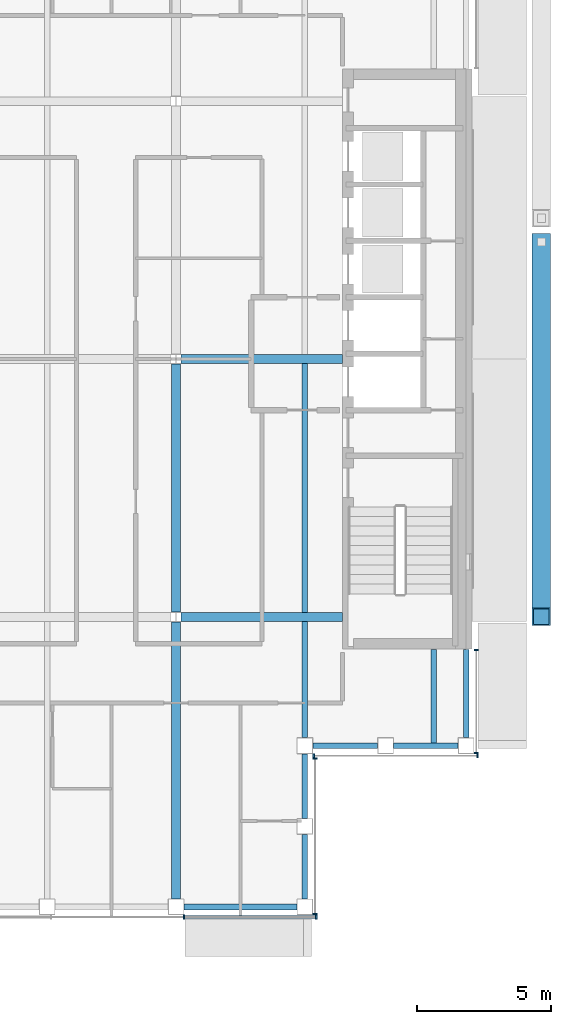
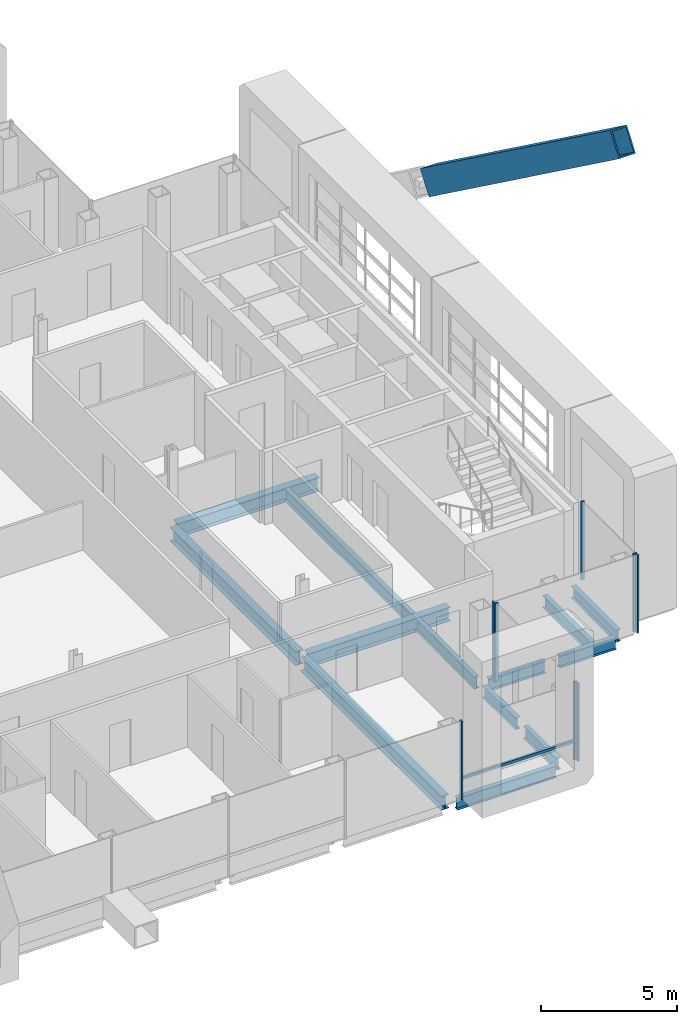
# One storey, part 7 of 23: 13 beams, 10 members, 4 elements without a shape of their own.
"""IFC4 building model written with IfcOpenShell, lengths in metres."""

from ifc_helpers import new_model, si_unit, direction, frame, origin, origin_2d, place, context, subcontext, project, spatial, rectangle, hollow_rectangle, i_section, extrude, material, material_profile, profile_set, type_object, element, aggregate, save


model = new_model("IFC4")

# Units and contexts
model_context = context("Model", 3, precision=1e-05, world=origin(), true_north=direction((0.0, 1.0)))
body_context = subcontext(model_context, "Body", "Model", "MODEL_VIEW")
ifc_project = project(units=[si_unit("LENGTHUNIT", "METRE"), si_unit("AREAUNIT", "SQUARE_METRE"), si_unit("VOLUMEUNIT", "CUBIC_METRE"), si_unit("PLANEANGLEUNIT", "RADIAN"), si_unit("MASSUNIT", "GRAM", prefix="KILO")], contexts=[model_context])

# Site, building, storey
site_placement = place(None, origin())
site = spatial("IfcSite", under=ifc_project, at=site_placement, CompositionType="ELEMENT")
building_placement = place(site_placement, origin())
building = spatial("IfcBuilding", under=site, at=building_placement, Name="Cobrizo Arcos Hotel Tower", CompositionType="ELEMENT")
storey_placement = place(building_placement, frame((0.0, 0.0, 262.0)))
storey = spatial("IfcBuildingStorey", under=building, at=storey_placement, Name="L69", CompositionType="ELEMENT", Elevation=262.0)

# Member
ifc_material_1 = material(Name="Steel ASTM A572 Grade 50", Category="steel")
ifc_material_profile_1 = material_profile(ifc_material_1, hollow_rectangle(XDim=0.699951171875, YDim=1.10009765625, WallThickness=0.06005859375, at=origin_2d()), Name="BOX 700X1100X60")
ifc_profile_set_1 = profile_set([ifc_material_profile_1], Name="Steel ASTM A572 Grade 50")
member_type_1 = type_object("IfcMemberType", Name="BOX 700X1100X60 perimeter brace", PredefinedType="BRACE", material=ifc_profile_set_1)
member_1_placement = place(storey_placement, frame((23.199951171875, 4.357421875, 7.82275390625), z_axis=(0.0, -0.808010614018, 0.589167928213), x_axis=(1.0, 0.0, 0.0)))
element("IfcMember", 1, at=member_1_placement, inside=storey, type_object=member_type_1, Name="Perimeter brace PBR5, zone Z5, east face, no. 03b", PredefinedType="BRACE", context=body_context, shape_type="SweptSolid", body=[
    extrude(hollow_rectangle(XDim=0.699951171875, YDim=1.10009765625, WallThickness=0.06005859375, at=origin_2d()), origin(), (0.0, 0.0, 1.0), 17.27392578125),
])

# Curtain wall, members
ifc_material_2 = material(Name="Aluminium 6063-T6 anodised bronze", Category="aluminium")
curtain_wall_type = type_object("IfcCurtainWallType", Name="CW-A guest facade", PredefinedType="NOTDEFINED", material=ifc_material_2)
curtain_wall_1_placement = place(storey_placement, origin())
curtain_wall_1 = element("IfcCurtainWall", 2, at=curtain_wall_1_placement, inside=storey, type_object=curtain_wall_type, Name="CW-A L69 S face", PredefinedType="NOTDEFINED")
ifc_material_profile_2 = material_profile(ifc_material_2, rectangle(XDim=0.14990234375, YDim=0.06005859375, at=origin_2d()), Name="CW-A mullion 150x60")
ifc_profile_set_2 = profile_set([ifc_material_profile_2], Name="Aluminium 6063-T6 anodised bronze")
member_type_2 = type_object("IfcMemberType", Name="CW-A mullion 150x60", PredefinedType="MULLION", material=ifc_profile_set_2)
member_2_placement = place(storey_placement, frame((9.89990234375, -20.77490234375, 0.0), z_axis=(0.0, 0.0, 1.0), x_axis=(0.0, -1.0, 0.0)))
member_2 = element("IfcMember", 3, at=member_2_placement, type_object=member_type_2, Name="CW-A mullion 6", PredefinedType="MULLION", context=body_context, shape_type="SweptSolid", body=[
    extrude(rectangle(XDim=0.14990234375, YDim=0.06005859375, at=origin_2d()), origin(), (0.0, 0.0, 1.0), 3.5),
])
member_3_placement = place(storey_placement, frame((14.820068359375, -20.77490234375, 0.0), z_axis=(0.0, 0.0, 1.0), x_axis=(0.0, -1.0, 0.0)))
member_3 = element("IfcMember", 4, at=member_3_placement, type_object=member_type_2, Name="CW-A mullion 7", PredefinedType="MULLION", context=body_context, shape_type="SweptSolid", body=[
    extrude(rectangle(XDim=0.14990234375, YDim=0.06005859375, at=origin_2d()), origin(), (0.0, 0.0, 1.0), 3.5),
])

curtain_wall_2_placement = place(storey_placement, origin())
curtain_wall_2 = element("IfcCurtainWall", 5, at=curtain_wall_2_placement, inside=storey, type_object=curtain_wall_type, Name="CW-A L69 E face", PredefinedType="NOTDEFINED")
member_4_placement = place(storey_placement, frame((14.77490234375, -20.669921875, 0.0), z_axis=(0.0, 0.0, 1.0), x_axis=(1.0, 0.0, 0.0)))
member_4 = element("IfcMember", 6, at=member_4_placement, type_object=member_type_2, Name="CW-A mullion 1", PredefinedType="MULLION", context=body_context, shape_type="SweptSolid", body=[
    extrude(rectangle(XDim=0.14990234375, YDim=0.06005859375, at=origin_2d()), origin(), (0.0, 0.0, 1.0), 3.5),
])
member_5_placement = place(storey_placement, frame((14.77490234375, -14.8798828125, 0.0), z_axis=(0.0, 0.0, 1.0), x_axis=(1.0, 0.0, 0.0)))
member_5 = element("IfcMember", 7, at=member_5_placement, type_object=member_type_2, Name="CW-A mullion 2", PredefinedType="MULLION", context=body_context, shape_type="SweptSolid", body=[
    extrude(rectangle(XDim=0.14990234375, YDim=0.06005859375, at=origin_2d()), origin(), (0.0, 0.0, 1.0), 3.5),
])
aggregate(curtain_wall_2, [member_4, member_5])

curtain_wall_3_placement = place(storey_placement, origin())
curtain_wall_3 = element("IfcCurtainWall", 8, at=curtain_wall_3_placement, inside=storey, type_object=curtain_wall_type, Name="CW-A L69 S face", PredefinedType="NOTDEFINED")
member_6_placement = place(storey_placement, frame((14.72998046875, -14.77490234375, 0.0), z_axis=(0.0, 0.0, 1.0), x_axis=(0.0, -1.0, 0.0)))
member_6 = element("IfcMember", 9, at=member_6_placement, type_object=member_type_2, Name="CW-A mullion 1", PredefinedType="MULLION", context=body_context, shape_type="SweptSolid", body=[
    extrude(rectangle(XDim=0.14990234375, YDim=0.06005859375, at=origin_2d()), origin(), (0.0, 0.0, 1.0), 3.5),
])
member_7_placement = place(storey_placement, frame((20.820068359375, -14.77490234375, 0.0), z_axis=(0.0, 0.0, 1.0), x_axis=(0.0, -1.0, 0.0)))
member_7 = element("IfcMember", 10, at=member_7_placement, type_object=member_type_2, Name="CW-A mullion 2", PredefinedType="MULLION", context=body_context, shape_type="SweptSolid", body=[
    extrude(rectangle(XDim=0.14990234375, YDim=0.06005859375, at=origin_2d()), origin(), (0.0, 0.0, 1.0), 3.5),
])
aggregate(curtain_wall_3, [member_6, member_7])

curtain_wall_4_placement = place(storey_placement, origin())
curtain_wall_4 = element("IfcCurtainWall", 11, at=curtain_wall_4_placement, inside=storey, type_object=curtain_wall_type, Name="CW-A L69 E face", PredefinedType="NOTDEFINED")
member_8_placement = place(storey_placement, frame((20.77490234375, -14.669921875, 0.0), z_axis=(0.0, 0.0, 1.0), x_axis=(1.0, 0.0, 0.0)))
member_8 = element("IfcMember", 12, at=member_8_placement, type_object=member_type_2, Name="CW-A mullion 1", PredefinedType="MULLION", context=body_context, shape_type="SweptSolid", body=[
    extrude(rectangle(XDim=0.14990234375, YDim=0.06005859375, at=origin_2d()), origin(), (0.0, 0.0, 1.0), 3.5),
])
member_9_placement = place(storey_placement, frame((20.77490234375, -10.830078125, 0.0), z_axis=(0.0, 0.0, 1.0), x_axis=(1.0, 0.0, 0.0)))
member_9 = element("IfcMember", 13, at=member_9_placement, type_object=member_type_2, Name="CW-A mullion 2", PredefinedType="MULLION", context=body_context, shape_type="SweptSolid", body=[
    extrude(rectangle(XDim=0.14990234375, YDim=0.06005859375, at=origin_2d()), origin(), (0.0, 0.0, 1.0), 3.5),
])
aggregate(curtain_wall_4, [member_8, member_9])

# Member
ifc_material_profile_3 = material_profile(ifc_material_2, rectangle(XDim=0.10009765625, YDim=0.1201171875, at=origin_2d()), Name="CW-A transom 120x100")
ifc_profile_set_3 = profile_set([ifc_material_profile_3], Name="Aluminium 6063-T6 anodised bronze")
member_type_3 = type_object("IfcMemberType", Name="CW-A transom 120x100", PredefinedType="USERDEFINED", material=ifc_profile_set_3)
member_10_placement = place(storey_placement, frame((9.929931640625, -20.77490234375, 0.929931640625), z_axis=(1.0, 0.0, 0.0), x_axis=(0.0, 1.0, 0.0)))
member_10 = element("IfcMember", 14, at=member_10_placement, type_object=member_type_3, Name="CW-A transom 2161", ObjectType="TRANSOM", PredefinedType="USERDEFINED", context=body_context, shape_type="SweptSolid", body=[
    extrude(rectangle(XDim=0.10009765625, YDim=0.1201171875, at=origin_2d()), origin(), (0.0, 0.0, 1.0), 4.860107421875),
])

aggregate(curtain_wall_1, [member_2, member_3, member_10])

# Beams
ifc_material_3 = material(Name="Steel ASTM A992 Grade 50", Category="steel")
ifc_material_profile_4 = material_profile(ifc_material_3, i_section(OverallWidth=0.209228515625, OverallDepth=0.533447265625, WebThickness=0.01025390625, FlangeThickness=0.015625, at=origin_2d()), Name="W21X62")
ifc_profile_set_4 = profile_set([ifc_material_profile_4], Name="Steel ASTM A992 Grade 50")
beam_type_1 = type_object("IfcBeamType", Name="W21X62 joist", PredefinedType="JOIST", material=ifc_profile_set_4)
beam_1_placement = place(storey_placement, frame((14.39990234375, -14.10009765625, -0.416748046875), z_axis=(0.0, 1.0, 0.0), x_axis=(-1.0, 0.0, 0.0)))
element("IfcBeam", 15, at=beam_1_placement, inside=storey, type_object=beam_type_1, Name="Floor joist J1, L69, no. 015", PredefinedType="JOIST", context=body_context, shape_type="SweptSolid", body=[
    extrude(i_section(OverallWidth=0.209228515625, OverallDepth=0.533447265625, WebThickness=0.01025390625, FlangeThickness=0.015625, at=origin_2d()), origin(), (0.0, 0.0, 1.0), 4.336181640625),
])
beam_2_placement = place(storey_placement, frame((14.39990234375, -9.43603515625, -0.416748046875), z_axis=(0.0, 1.0, 0.0), x_axis=(-1.0, 0.0, 0.0)))
element("IfcBeam", 16, at=beam_2_placement, inside=storey, type_object=beam_type_1, Name="Floor joist J1, L69, no. 016", PredefinedType="JOIST", context=body_context, shape_type="SweptSolid", body=[
    extrude(i_section(OverallWidth=0.209228515625, OverallDepth=0.533447265625, WebThickness=0.01025390625, FlangeThickness=0.015625, at=origin_2d()), origin(), (0.0, 0.0, 1.0), 9.272216796875),
])
beam_3_placement = place(storey_placement, frame((19.199951171875, -14.31005859375, -0.416748046875), z_axis=(0.0, 1.0, 0.0), x_axis=(-1.0, 0.0, 0.0)))
element("IfcBeam", 17, at=beam_3_placement, inside=storey, type_object=beam_type_1, Name="Floor joist J1, L69, no. 019", PredefinedType="JOIST", context=body_context, shape_type="SweptSolid", body=[
    extrude(i_section(OverallWidth=0.209228515625, OverallDepth=0.533447265625, WebThickness=0.01025390625, FlangeThickness=0.015625, at=origin_2d()), origin(), (0.0, 0.0, 1.0), 3.5),
])
ifc_material_profile_5 = material_profile(ifc_material_3, i_section(OverallWidth=0.209228515625, OverallDepth=0.533447265625, WebThickness=0.01025390625, FlangeThickness=0.015625, at=origin_2d()), Name="W21X62")
ifc_profile_set_5 = profile_set([ifc_material_profile_5], Name="Steel ASTM A992 Grade 50")
beam_type_2 = type_object("IfcBeamType", Name="W21X62 spandrel", PredefinedType="SPANDREL", material=ifc_profile_set_5)
beam_4_placement = place(storey_placement, frame((9.89990234375, -20.39990234375, -0.416748046875), z_axis=(1.0, 0.0, 0.0), x_axis=(0.0, 1.0, 0.0)))
element("IfcBeam", 18, at=beam_4_placement, inside=storey, type_object=beam_type_2, Name="Spandrel beam W21X62, L69, no. 006", PredefinedType="SPANDREL", context=body_context, shape_type="SweptSolid", body=[
    extrude(i_section(OverallWidth=0.209228515625, OverallDepth=0.533447265625, WebThickness=0.01025390625, FlangeThickness=0.015625, at=origin_2d()), origin(), (0.0, 0.0, 1.0), 4.2001953125),
])
for number, where, z_axis, x_axis, name in (
    (19, (14.39990234375, -20.10009765625, -0.416748046875), (0.0, 1.0, 0.0), (-1.0, 0.0, 0.0), "Spandrel beam W21X62, L69, no. 007"),
    (20, (14.39990234375, -17.10009765625, -0.416748046875), (0.0, 1.0, 0.0), (-1.0, 0.0, 0.0), "Spandrel beam W21X62, L69, no. 008"),
    (21, (14.699951171875, -14.39990234375, -0.416748046875), (1.0, 0.0, 0.0), (0.0, 1.0, 0.0), "Spandrel beam W21X62, L69, no. 009"),
    (22, (17.699951171875, -14.39990234375, -0.416748046875), (1.0, 0.0, 0.0), (0.0, 1.0, 0.0), "Spandrel beam W21X62, L69, no. 010"),
):
    element("IfcBeam", number, at=place(storey_placement, frame(where, z_axis=z_axis, x_axis=x_axis)), inside=storey, type_object=beam_type_2, Name=name, PredefinedType="SPANDREL", context=body_context, shape_type="SweptSolid", body=[
        extrude(i_section(OverallWidth=0.209228515625, OverallDepth=0.533447265625, WebThickness=0.01025390625, FlangeThickness=0.015625, at=origin_2d()), origin(), (0.0, 0.0, 1.0), 2.400146484375),
    ])
beam_5_placement = place(storey_placement, frame((20.39990234375, -14.10009765625, -0.416748046875), z_axis=(0.0, 1.0, 0.0), x_axis=(-1.0, 0.0, 0.0)))
element("IfcBeam", 23, at=beam_5_placement, inside=storey, type_object=beam_type_2, Name="Spandrel beam W21X62, L69, no. 011", PredefinedType="SPANDREL", context=body_context, shape_type="SweptSolid", body=[
    extrude(i_section(OverallWidth=0.209228515625, OverallDepth=0.533447265625, WebThickness=0.01025390625, FlangeThickness=0.015625, at=origin_2d()), origin(), (0.0, 0.0, 1.0), 3.2900390625),
])
ifc_material_profile_6 = material_profile(ifc_material_3, i_section(OverallWidth=0.32763671875, OverallDepth=0.622314453125, WebThickness=0.015380859375, FlangeThickness=0.0244140625, at=origin_2d()), Name="W24X131")
ifc_profile_set_6 = profile_set([ifc_material_profile_6], Name="Steel ASTM A992 Grade 50")
beam_type_3 = type_object("IfcBeamType", Name="W24X131 girder", PredefinedType="BEAM", material=ifc_profile_set_6)
for number, where, z_axis, x_axis, name in (
    (24, (9.7841796875, -9.60009765625, -0.461181640625), (1.0, 0.0, 0.0), (0.0, 1.0, 0.0), "Floor girder G1, L69, no. 004"),
    (25, (9.7841796875, 0.0, -0.461181640625), (1.0, 0.0, 0.0), (0.0, 1.0, 0.0), "Floor girder G1, L69, no. 008"),
):
    element("IfcBeam", number, at=place(storey_placement, frame(where, z_axis=z_axis, x_axis=x_axis)), inside=storey, type_object=beam_type_3, Name=name, PredefinedType="BEAM", context=body_context, shape_type="SweptSolid", body=[
        extrude(i_section(OverallWidth=0.32763671875, OverallDepth=0.622314453125, WebThickness=0.015380859375, FlangeThickness=0.0244140625, at=origin_2d()), origin(), (0.0, 0.0, 1.0), 6.005859375),
    ])
beam_6_placement = place(storey_placement, frame((9.60009765625, -20.10009765625, -0.461181640625), z_axis=(0.0, 1.0, 0.0), x_axis=(-1.0, 0.0, 0.0)))
element("IfcBeam", 26, at=beam_6_placement, inside=storey, type_object=beam_type_3, Name="Floor girder G1, L69, no. 021", PredefinedType="BEAM", context=body_context, shape_type="SweptSolid", body=[
    extrude(i_section(OverallWidth=0.32763671875, OverallDepth=0.622314453125, WebThickness=0.015380859375, FlangeThickness=0.0244140625, at=origin_2d()), origin(), (0.0, 0.0, 1.0), 10.31591796875),
])
beam_7_placement = place(storey_placement, frame((9.60009765625, -9.415771484375, -0.461181640625), z_axis=(0.0, 1.0, 0.0), x_axis=(-1.0, 0.0, 0.0)))
element("IfcBeam", 27, at=beam_7_placement, inside=storey, type_object=beam_type_3, Name="Floor girder G1, L69, no. 022", PredefinedType="BEAM", context=body_context, shape_type="SweptSolid", body=[
    extrude(i_section(OverallWidth=0.32763671875, OverallDepth=0.622314453125, WebThickness=0.015380859375, FlangeThickness=0.0244140625, at=origin_2d()), origin(), (0.0, 0.0, 1.0), 9.231689453125),
])

save(model, "model.ifc")
